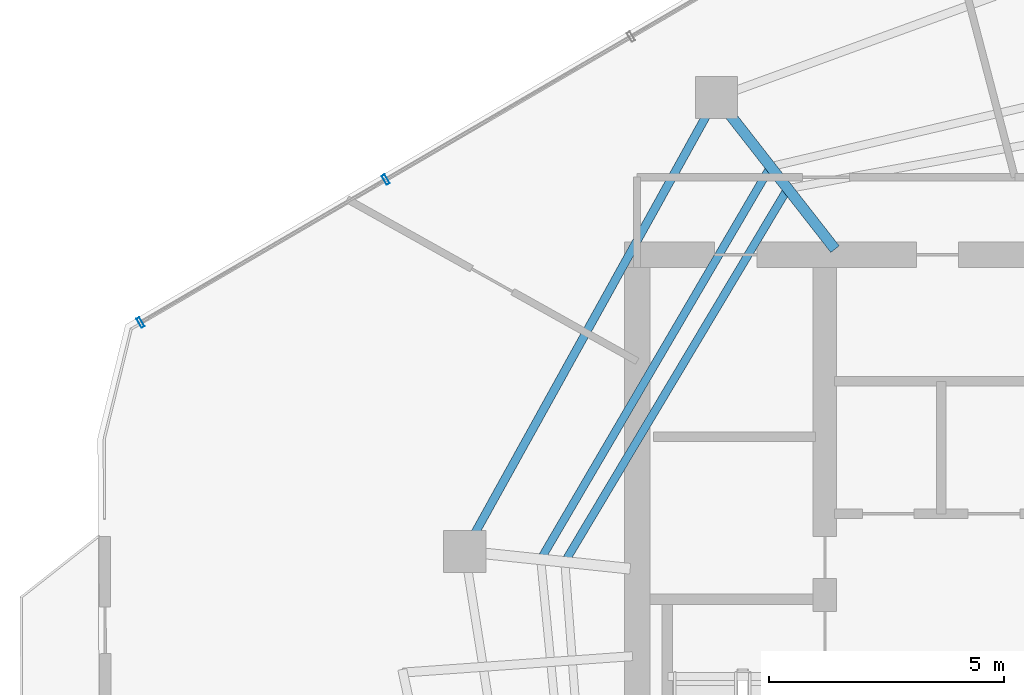
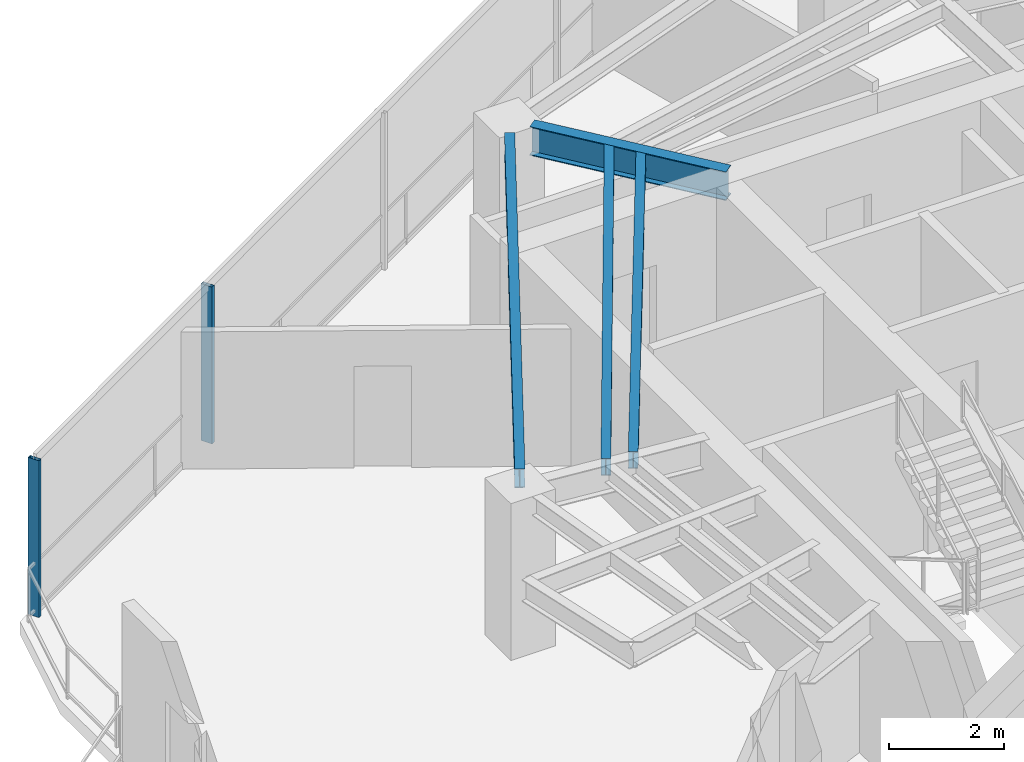
# One storey, part 5 of 19: 4 beams, 2 members, 1 element without a shape of its own.
"""IFC4 building model written with IfcOpenShell, lengths in metres."""

from ifc_helpers import new_model, si_unit, direction, frame, origin, origin_2d, place, context, subcontext, project, spatial, hollow_rectangle, i_section, extrude, material, layer, layer_set, material_profile, profile_set, type_object, element, aggregate, save


model = new_model("IFC4")

# Units and contexts
model_context = context("Model", 3, precision=1e-05, world=origin(), true_north=direction((0.0, 1.0)))
body_context = subcontext(model_context, "Body", "Model", "MODEL_VIEW")
ifc_project = project(units=[si_unit("LENGTHUNIT", "METRE"), si_unit("AREAUNIT", "SQUARE_METRE"), si_unit("VOLUMEUNIT", "CUBIC_METRE"), si_unit("PLANEANGLEUNIT", "RADIAN"), si_unit("MASSUNIT", "GRAM", prefix="KILO")], contexts=[model_context])

# Site, building, storey
site_placement = place(None, origin())
site = spatial("IfcSite", under=ifc_project, at=site_placement, CompositionType="ELEMENT")
building_placement = place(site_placement, origin())
building = spatial("IfcBuilding", under=site, at=building_placement, Name="Qarnah Convention Tower", CompositionType="ELEMENT")
storey_placement = place(building_placement, frame((0.0, 0.0, 180.60009765625)))
storey = spatial("IfcBuildingStorey", under=building, at=storey_placement, Name="L48", CompositionType="ELEMENT", Elevation=180.60009765625)

# Beams
ifc_material_1 = material(Name="Structural steel S355JR", Category="steel")
ifc_material_profile_1 = material_profile(ifc_material_1, i_section(OverallWidth=0.172119140625, OverallDepth=0.35595703125, WebThickness=0.007080078125, FlangeThickness=0.011962890625, at=origin_2d()), Name="W360X51")
ifc_profile_set_1 = profile_set([ifc_material_profile_1], Name="Structural steel S355JR")
beam_type_1 = type_object("IfcBeamType", Name="BM-JST-W360", PredefinedType="JOIST", material=ifc_profile_set_1)
beam_1_placement = place(storey_placement, frame((29.594970703125, 35.998046875, 3.141845703125), z_axis=(-0.505140510309, -0.863037116725, 0.0), x_axis=(0.863037116725, -0.505140510309, 0.0)))
element("IfcBeam", 1, at=beam_1_placement, inside=storey, type_object=beam_type_1, Name="L48 joist BM-L48-SJST-04", PredefinedType="JOIST", context=body_context, shape_type="SweptSolid", body=[
    extrude(i_section(OverallWidth=0.172119140625, OverallDepth=0.35595703125, WebThickness=0.007080078125, FlangeThickness=0.011962890625, at=origin_2d()), origin(), (0.0, 0.0, 1.0), 9.513916015625),
])
beam_2_placement = place(storey_placement, frame((29.9599609375, 35.530029296875, 3.141845703125), z_axis=(-0.512644523627, -0.858600950614, 0.0), x_axis=(0.858600950614, -0.512644523627, 0.0)))
element("IfcBeam", 2, at=beam_2_placement, inside=storey, type_object=beam_type_1, Name="L48 joist BM-L48-IJST-04", PredefinedType="JOIST", context=body_context, shape_type="SweptSolid", body=[
    extrude(i_section(OverallWidth=0.172119140625, OverallDepth=0.35595703125, WebThickness=0.007080078125, FlangeThickness=0.011962890625, at=origin_2d()), origin(), (0.0, 0.0, 1.0), 9.082275390625),
])
ifc_material_profile_2 = material_profile(ifc_material_1, i_section(OverallWidth=0.22802734375, OverallDepth=0.60791015625, WebThickness=0.010986328125, FlangeThickness=0.01708984375, at=origin_2d()), Name="W610X113")
ifc_profile_set_2 = profile_set([ifc_material_profile_2], Name="Structural steel S355JR")
beam_type_2 = type_object("IfcBeamType", Name="BM-RAD-W610B", PredefinedType="BEAM", material=ifc_profile_set_2)
beam_3_placement = place(storey_placement, frame((31.013916015625, 34.318115234375, 3.015869140625), z_axis=(-0.615807906571, 0.787896327066, 0.0), x_axis=(-0.787896327066, -0.615807906571, 0.0)))
element("IfcBeam", 3, at=beam_3_placement, inside=storey, type_object=beam_type_2, Name="L48 beam BM-L48-RAD-04", PredefinedType="BEAM", context=body_context, shape_type="SweptSolid", body=[
    extrude(i_section(OverallWidth=0.22802734375, OverallDepth=0.60791015625, WebThickness=0.010986328125, FlangeThickness=0.01708984375, at=origin_2d()), origin(), (0.0, 0.0, 1.0), 3.671630859375),
])
ifc_material_profile_3 = material_profile(ifc_material_1, i_section(OverallWidth=0.179931640625, OverallDepth=0.39990234375, WebThickness=0.009033203125, FlangeThickness=0.013916015625, at=origin_2d()), Name="IPE400")
ifc_profile_set_3 = profile_set([ifc_material_profile_3], Name="Structural steel S355JR")
beam_type_3 = type_object("IfcBeamType", Name="BM-SPN-IPE400", PredefinedType="SPANDREL", material=ifc_profile_set_3)
beam_4_placement = place(storey_placement, frame((28.27490234375, 37.1650390625, 3.119873046875), z_axis=(-0.48479945923, -0.874625339406, 0.0), x_axis=(0.874625339406, -0.48479945923, 0.0)))
element("IfcBeam", 4, at=beam_4_placement, inside=storey, type_object=beam_type_3, Name="L48 spandrel BM-L48-SPN-04", PredefinedType="SPANDREL", context=body_context, shape_type="SweptSolid", body=[
    extrude(i_section(OverallWidth=0.179931640625, OverallDepth=0.39990234375, WebThickness=0.009033203125, FlangeThickness=0.013916015625, at=origin_2d()), origin(), (0.0, 0.0, 1.0), 10.177001953125),
])

# Curtain wall, members
ifc_material_2 = material(Name="Tempered Low-E dark glass", Category="glass")
ifc_layer = layer(ifc_material_2, 0.174072265625)
ifc_layer_set = layer_set([ifc_layer], Name="Tempered Low-E dark glass")
curtain_wall_type = type_object("IfcCurtainWallType", Name="CWS-04", PredefinedType="NOTDEFINED", material=ifc_layer_set)
curtain_wall_placement = place(storey_placement, origin())
curtain_wall = element("IfcCurtainWall", 5, at=curtain_wall_placement, inside=storey, type_object=curtain_wall_type, Name="L48 unitised curtain wall CW-L48-F3", PredefinedType="NOTDEFINED")
ifc_material_3 = material(Name="Black anodised aluminium", Category="aluminium")
ifc_material_profile_4 = material_profile(ifc_material_3, hollow_rectangle(XDim=0.074951171875, YDim=0.219970703125, WallThickness=0.0048828125, at=origin_2d()), Name="MUL-75X220")
ifc_profile_set_4 = profile_set([ifc_material_profile_4], Name="Black anodised aluminium")
member_type = type_object("IfcMemberType", Name="MUL-T4", PredefinedType="MULLION", material=ifc_profile_set_4)
member_1_placement = place(storey_placement, frame((16.218017578125, 32.7548828125, 0.0), z_axis=(0.0, 0.0, 1.0), x_axis=(0.863909634333, 0.503646844234, 0.0)))
member_1 = element("IfcMember", 6, at=member_1_placement, type_object=member_type, Name="CW-L48-F3 mullion 1", PredefinedType="MULLION", context=body_context, shape_type="SweptSolid", body=[
    extrude(hollow_rectangle(XDim=0.074951171875, YDim=0.219970703125, WallThickness=0.0048828125, at=origin_2d()), origin(), (0.0, 0.0, 1.0), 3.31982421875),
])
member_2_placement = place(storey_placement, frame((21.44189453125, 35.80029296875, 0.0), z_axis=(0.0, 0.0, 1.0), x_axis=(0.863909634333, 0.503646844234, 0.0)))
member_2 = element("IfcMember", 7, at=member_2_placement, type_object=member_type, Name="CW-L48-F3 mullion 2", PredefinedType="MULLION", context=body_context, shape_type="SweptSolid", body=[
    extrude(hollow_rectangle(XDim=0.074951171875, YDim=0.219970703125, WallThickness=0.0048828125, at=origin_2d()), origin(), (0.0, 0.0, 1.0), 3.31982421875),
])
aggregate(curtain_wall, [member_1, member_2])

save(model, "model.ifc")
